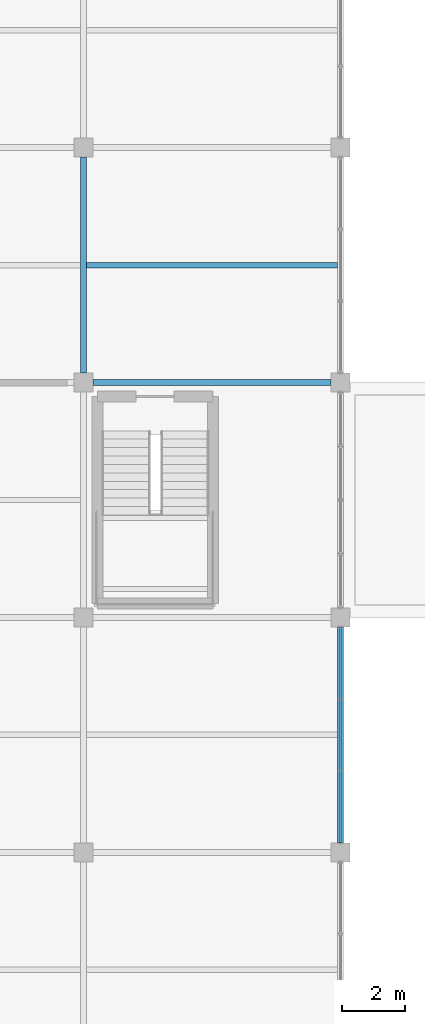
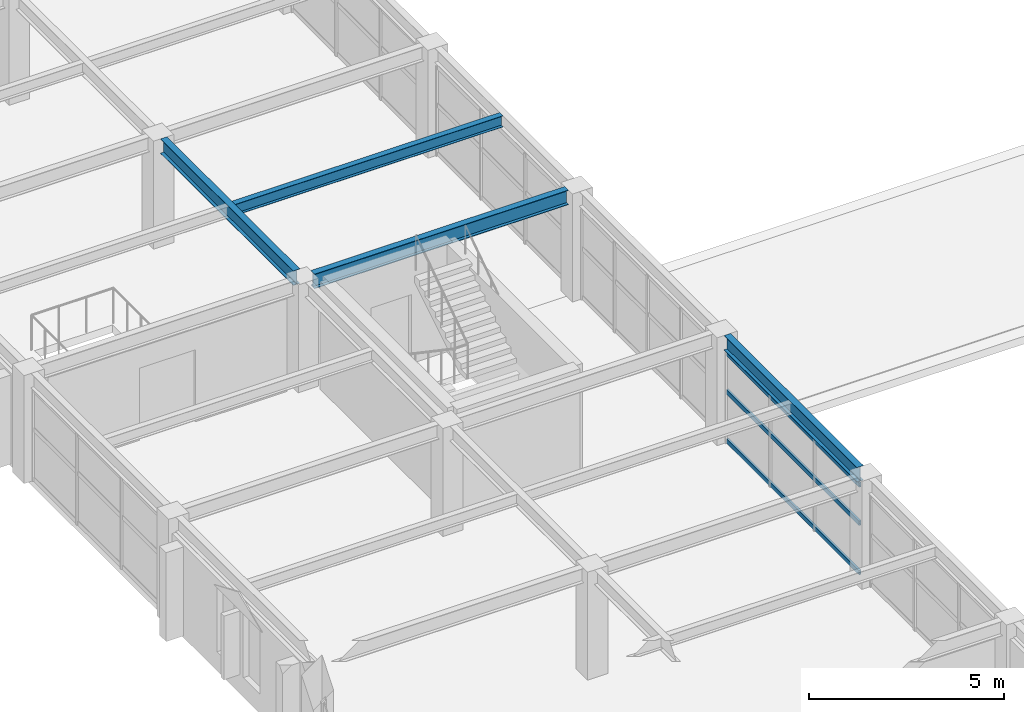
# One storey, part 22 of 121: 4 beams, 3 members, 1 element without a shape of its own.
"""IFC4 building model written with IfcOpenShell, lengths in metres."""

import ifcopenshell
import ifcopenshell.guid

model = None  # the IFC model being written
_history = None  # IfcOwnerHistory: only IFC2X3 demands one
_inside = {}  # id of a spatial element -> (the spatial element, [elements in it])
_under = {}  # id of a project, library or spatial element -> (it, [spatial elements below it])
_declared = {}  # id of a project -> (the project, [libraries it declares])
_typed = {}  # id of a type object -> (the type object, [elements of that type])
_made_of = {}  # id of a material, layer set ... -> (it, [elements and type objects made of it])


def new_model(schema):
    """Start an empty IFC model of exactly this schema.

    Asked for "IFC4X3", IfcOpenShell would pick the latest addendum, in which some entities
    have other attributes; the version numbers below select the first issue.
    IFC2X3 requires an IfcOwnerHistory on every rooted entity: one is made here for all.
    """
    global model, _history
    if schema == "IFC4X3":
        model = ifcopenshell.file(schema_version=(4, 3, 0, 0))
    else:
        model = ifcopenshell.file(schema=schema)
    _inside.clear()
    _under.clear()
    _declared.clear()
    _typed.clear()
    _made_of.clear()
    _history = None
    if model.schema == "IFC2X3":
        org = make("IfcOrganization", Name="unknown")
        user = make(
            "IfcPersonAndOrganization",
            ThePerson=make("IfcPerson", FamilyName="unknown"),
            TheOrganization=org,
        )
        app = make(
            "IfcApplication",
            ApplicationDeveloper=org,
            Version="unknown",
            ApplicationFullName="unknown",
            ApplicationIdentifier="unknown",
        )
        _history = make(
            "IfcOwnerHistory",
            OwningUser=user,
            OwningApplication=app,
            ChangeAction="ADDED",
            CreationDate=0,
        )
    return model


def make(cls, **values):
    """One entity of the class cls with the attributes given. An attribute that is None is left unset."""
    return model.create_entity(
        cls, **{name: value for name, value in values.items() if value is not None}
    )


def rooted(cls, **values):
    """An entity with a GlobalId (a new one), such as an element, a storey or a relation."""
    return make(cls, GlobalId=ifcopenshell.guid.new(), OwnerHistory=_history, **values)


def si_unit(unit_type, name, prefix=None):
    """IfcSIUnit, for example si_unit("LENGTHUNIT", "METRE", prefix="MILLI")."""
    return make("IfcSIUnit", UnitType=unit_type, Prefix=prefix, Name=name)


def assignment(units):
    """IfcUnitAssignment: the units of a project."""
    return None if units is None else make("IfcUnitAssignment", Units=units)


def point(xyz):
    """IfcCartesianPoint."""
    return None if xyz is None else make("IfcCartesianPoint", Coordinates=xyz)


def direction(xyz):
    """IfcDirection."""
    return None if xyz is None else make("IfcDirection", DirectionRatios=xyz)


def frame(location, z_axis=None, x_axis=None):
    """IfcAxis2Placement3D, a coordinate frame: its origin and axes. An axis left out is left unset."""
    return make(
        "IfcAxis2Placement3D",
        Location=point(location),
        Axis=direction(z_axis),
        RefDirection=direction(x_axis),
    )


def frame_2d(location, x_axis=None):
    """IfcAxis2Placement2D, a coordinate frame in the plane: its origin and x axis."""
    return make(
        "IfcAxis2Placement2D", Location=point(location), RefDirection=direction(x_axis)
    )


def origin():
    """The frame at (0, 0, 0) with its axes left unset."""
    return frame((0.0, 0.0, 0.0))


def origin_2d():
    """The frame at (0, 0) in the plane with its x axis left unset."""
    return frame_2d((0.0, 0.0))


def place(relative_to, where):
    """IfcLocalPlacement: puts the frame where relative to a parent placement (None: the world)."""
    return make(
        "IfcLocalPlacement", PlacementRelTo=relative_to, RelativePlacement=where
    )


def context(
    kind, dimensions, precision=None, world=None, true_north=None, identifier=None
):
    """IfcGeometricRepresentationContext, for example the 3D "Model" context."""
    return make(
        "IfcGeometricRepresentationContext",
        ContextIdentifier=identifier,
        ContextType=kind,
        CoordinateSpaceDimension=dimensions,
        Precision=precision,
        WorldCoordinateSystem=world,
        TrueNorth=true_north,
    )


def subcontext(parent, identifier, kind, view, scale=None):
    """IfcGeometricRepresentationSubContext, for example "Body" below "Model"."""
    return make(
        "IfcGeometricRepresentationSubContext",
        ContextIdentifier=identifier,
        ContextType=kind,
        ParentContext=parent,
        TargetScale=scale,
        TargetView=view,
    )


def project(units=None, contexts=None):
    """IfcProject with its units and contexts."""
    return rooted(
        "IfcProject",
        Name="project",
        RepresentationContexts=contexts,
        UnitsInContext=assignment(units),
    )


def spatial(cls, under=None, at=None, **own):
    """A site, building, storey or space (cls), placed at a placement, below another one or the project."""
    s = rooted(cls, ObjectPlacement=at, **own)
    if under is not None:
        _under.setdefault(under.id(), (under, []))[1].append(s)
    return s


def profile(cls, at=None, kind="AREA", **sizes):
    """A parametric profile (cls). Its sizes go by their IFC names, for example OverallWidth=200.0."""
    return make(cls, ProfileType=kind, Position=at, **sizes)


def hollow_rectangle(**sizes):
    """IfcRectangleHollowProfileDef."""
    return profile("IfcRectangleHollowProfileDef", **sizes)


def i_section(**sizes):
    """IfcIShapeProfileDef."""
    return profile("IfcIShapeProfileDef", **sizes)


def extrude(swept, where, along, depth):
    """IfcExtrudedAreaSolid: the profile swept, set in the frame where, extruded along a direction by depth."""
    return make(
        "IfcExtrudedAreaSolid",
        SweptArea=swept,
        Position=where,
        ExtrudedDirection=direction(along),
        Depth=depth,
    )


def shape(context_of_items, identifier, shape_type, items):
    """IfcShapeRepresentation: the items that make up one representation, for example the "Body"."""
    return make(
        "IfcShapeRepresentation",
        ContextOfItems=context_of_items,
        RepresentationIdentifier=identifier,
        RepresentationType=shape_type,
        Items=items,
    )


def material(Name=None, Category=None):
    """IfcMaterial."""
    return make("IfcMaterial", Name=Name, Category=Category)


def material_profile(
    of_material, cross_section, Name=None, Category=None, Priority=None
):
    """IfcMaterialProfile: a cross section and its material."""
    return make(
        "IfcMaterialProfile",
        Name=Name,
        Material=of_material,
        Profile=cross_section,
        Priority=Priority,
        Category=Category,
    )


def profile_set(profiles, Name=None, composite=None):
    """IfcMaterialProfileSet."""
    return make(
        "IfcMaterialProfileSet",
        Name=Name,
        MaterialProfiles=profiles,
        CompositeProfile=composite,
    )


def made_of(thing, what):
    """Note that an element or type object is made of a material, layer set ...; save() writes the relation."""
    if what is not None:
        _made_of.setdefault(what.id(), (what, []))[1].append(thing)
    return thing


def type_object(cls, material=None, **own):
    """A type object (cls), such as IfcWallType, which elements share."""
    return made_of(rooted(cls, **own), material)


def element(
    cls,
    number,
    at=None,
    inside=None,
    cuts=None,
    type_object=None,
    material=None,
    context=None,
    identifier="Body",
    shape_type=None,
    held_by="IfcProductDefinitionShape",
    body=None,
    shapes=None,
    **own,
):
    """One element of the class cls, such as IfcWall. Its Tag is "e" and its number.

    at: its placement. inside: the storey or other place that contains it. cuts: it is an
    opening in that element (IfcRelVoidsElement). A single representation is given by context,
    identifier, shape_type and body (its items); several are given by shapes. held_by: the class
    of the entity that holds the representations. save() writes the other relations.
    """
    e = rooted(cls, Tag="e%d" % number, ObjectPlacement=at, **own)
    if body is not None:
        shapes = [shape(context, identifier, shape_type, body)]
    if shapes is not None:
        e.Representation = make(held_by, Representations=shapes)
    if inside is not None:
        _inside.setdefault(inside.id(), (inside, []))[1].append(e)
    if cuts is not None:
        rooted(
            "IfcRelVoidsElement", RelatingBuildingElement=cuts, RelatedOpeningElement=e
        )
    if type_object is not None:
        _typed.setdefault(type_object.id(), (type_object, []))[1].append(e)
    return made_of(e, material)


def aggregate(whole, parts):
    """IfcRelAggregates: a whole, such as a stair, and the parts it consists of."""
    return rooted("IfcRelAggregates", RelatingObject=whole, RelatedObjects=parts)


def save(model, path):
    """Write the relations noted so far, then the file.

    IfcRelAggregates (storeys below a building ...), IfcRelContainedInSpatialStructure (elements
    in a storey), IfcRelDefinesByType, IfcRelAssociatesMaterial and IfcRelDeclares: one each for
    every whole, place, type object, material and project.
    """
    for whole, parts in _under.values():
        aggregate(whole, parts)
    for where, things in _inside.values():
        rooted(
            "IfcRelContainedInSpatialStructure",
            RelatedElements=things,
            RelatingStructure=where,
        )
    for kind, things in _typed.values():
        rooted("IfcRelDefinesByType", RelatedObjects=things, RelatingType=kind)
    for what, things in _made_of.values():
        rooted("IfcRelAssociatesMaterial", RelatedObjects=things, RelatingMaterial=what)
    for by, libraries in _declared.values():
        rooted("IfcRelDeclares", RelatingContext=by, RelatedDefinitions=libraries)
    model.write(path)


model = new_model("IFC4")

# Units and contexts
model_context = context("Model", 3, precision=1e-05, world=origin(), true_north=direction((0.0, 1.0)))
body_context = subcontext(model_context, "Body", "Model", "MODEL_VIEW")
ifc_project = project(units=[si_unit("LENGTHUNIT", "METRE"), si_unit("AREAUNIT", "SQUARE_METRE"), si_unit("VOLUMEUNIT", "CUBIC_METRE"), si_unit("PLANEANGLEUNIT", "RADIAN"), si_unit("MASSUNIT", "GRAM", prefix="KILO")], contexts=[model_context])

# Site, building, storey
site_placement = place(None, origin())
site = spatial("IfcSite", under=ifc_project, at=site_placement, CompositionType="ELEMENT")
building_placement = place(site_placement, origin())
building = spatial("IfcBuilding", under=site, at=building_placement, Name="Cimatlan Art Gallery", CompositionType="ELEMENT")
storey_placement = place(building_placement, frame((0.0, 0.0, 10.199951171875)))
storey = spatial("IfcBuildingStorey", under=building, at=storey_placement, Name="L02", CompositionType="ELEMENT", Elevation=10.199951171875)

# Beams
ifc_material_1 = material(Name="Steel ASTM A992 Grade 50", Category="steel")
ifc_material_profile_1 = material_profile(ifc_material_1, i_section(OverallWidth=0.1708984375, OverallDepth=0.35107421875, WebThickness=0.0068359375, FlangeThickness=0.009765625, at=origin_2d()), Name="W14X30")
ifc_profile_set_1 = profile_set([ifc_material_profile_1], Name="Steel ASTM A992 Grade 50")
beam_type_1 = type_object("IfcBeamType", Name="BM-STL-W14X30", PredefinedType="JOIST", material=ifc_profile_set_1)
beam_1_placement = place(storey_placement, frame((42.595458984375, 64.60009765625, 3.194580078125), z_axis=(1.0, 0.0, 0.0), x_axis=(0.0, 1.0, 0.0)))
element("IfcBeam", 1, at=beam_1_placement, inside=storey, type_object=beam_type_1, Name="JST-L02-05-08", PredefinedType="JOIST", context=body_context, shape_type="SweptSolid", body=[
    extrude(i_section(OverallWidth=0.1708984375, OverallDepth=0.35107421875, WebThickness=0.0068359375, FlangeThickness=0.009765625, at=origin_2d()), origin(), (0.0, 0.0, 1.0), 7.908935546875),
])
ifc_material_profile_2 = material_profile(ifc_material_1, i_section(OverallWidth=0.19091796875, OverallDepth=0.45703125, WebThickness=0.009033203125, FlangeThickness=0.014404296875, at=origin_2d()), Name="W18X50")
ifc_profile_set_2 = profile_set([ifc_material_profile_2], Name="Steel ASTM A992 Grade 50")
beam_type_2 = type_object("IfcBeamType", Name="BM-STL-W18X50", PredefinedType="BEAM", material=ifc_profile_set_2)
for number, where, z_axis, x_axis, name in (
    (2, (42.5, 61.199951171875, 3.1416015625), (0.0, 1.0, 0.0), (-1.0, 0.0, 0.0), "BM-Y-L02-05-08"),
    (3, (50.60009765625, 46.39990234375, 3.1416015625), (0.0, 1.0, 0.0), (-1.0, 0.0, 0.0), "BM-Y-L02-06-06"),
):
    element("IfcBeam", number, at=place(storey_placement, frame(where, z_axis=z_axis, x_axis=x_axis)), inside=storey, type_object=beam_type_2, Name=name, PredefinedType="BEAM", context=body_context, shape_type="SweptSolid", body=[
        extrude(i_section(OverallWidth=0.19091796875, OverallDepth=0.45703125, WebThickness=0.009033203125, FlangeThickness=0.014404296875, at=origin_2d()), origin(), (0.0, 0.0, 1.0), 6.800048828125),
    ])
beam_2_placement = place(storey_placement, frame((42.800048828125, 60.89990234375, 3.1416015625), z_axis=(1.0, 0.0, 0.0), x_axis=(0.0, 1.0, 0.0)))
element("IfcBeam", 4, at=beam_2_placement, inside=storey, type_object=beam_type_2, Name="BM-X-L02-05-08", PredefinedType="BEAM", context=body_context, shape_type="SweptSolid", body=[
    extrude(i_section(OverallWidth=0.19091796875, OverallDepth=0.45703125, WebThickness=0.009033203125, FlangeThickness=0.014404296875, at=origin_2d()), origin(), (0.0, 0.0, 1.0), 7.5),
])

# Curtain wall, members
ifc_material_2 = material(Name="Anodised bronze unitised curtain wall")
curtain_wall_type = type_object("IfcCurtainWallType", Name="CW-V-06792X02853-B3", PredefinedType="NOTDEFINED", material=ifc_material_2)
curtain_wall_placement = place(storey_placement, origin())
curtain_wall = element("IfcCurtainWall", 5, at=curtain_wall_placement, inside=storey, type_object=curtain_wall_type, Name="CW-L02-05-06-E", PredefinedType="NOTDEFINED")
ifc_material_3 = material(Name="Anodised bronze aluminium 6063-T6", Category="aluminium")
ifc_material_profile_3 = material_profile(ifc_material_3, hollow_rectangle(XDim=0.06494140625, YDim=0.139892578125, WallThickness=0.00390625, at=origin_2d()), Name="ALU65X140X4")
ifc_profile_set_3 = profile_set([ifc_material_profile_3], Name="Anodised bronze aluminium 6063-T6")
member_type = type_object("IfcMemberType", Name="CW-TRN-140", PredefinedType="USERDEFINED", material=ifc_profile_set_3)
member_1_placement = place(storey_placement, frame((50.60009765625, 53.196044921875, 0.06005859375), z_axis=(0.0, -1.0, 0.0), x_axis=(1.0, 0.0, 0.0)))
member_1 = element("IfcMember", 6, at=member_1_placement, type_object=member_type, Name="CW-L02-05-06-E-T1", ObjectType="TRANSOM", PredefinedType="USERDEFINED", context=body_context, shape_type="SweptSolid", body=[
    extrude(hollow_rectangle(XDim=0.06494140625, YDim=0.139892578125, WallThickness=0.00390625, at=origin_2d()), origin(), (0.0, 0.0, 1.0), 6.7919921875),
])
member_2_placement = place(storey_placement, frame((50.60009765625, 53.196044921875, 1.59765625), z_axis=(0.0, -1.0, 0.0), x_axis=(1.0, 0.0, 0.0)))
member_2 = element("IfcMember", 7, at=member_2_placement, type_object=member_type, Name="CW-L02-05-06-E-T2", ObjectType="TRANSOM", PredefinedType="USERDEFINED", context=body_context, shape_type="SweptSolid", body=[
    extrude(hollow_rectangle(XDim=0.06494140625, YDim=0.139892578125, WallThickness=0.00390625, at=origin_2d()), origin(), (0.0, 0.0, 1.0), 6.7919921875),
])
member_3_placement = place(storey_placement, frame((50.60009765625, 53.196044921875, 2.79296875), z_axis=(0.0, -1.0, 0.0), x_axis=(1.0, 0.0, 0.0)))
member_3 = element("IfcMember", 8, at=member_3_placement, type_object=member_type, Name="CW-L02-05-06-E-T3", ObjectType="TRANSOM", PredefinedType="USERDEFINED", context=body_context, shape_type="SweptSolid", body=[
    extrude(hollow_rectangle(XDim=0.06494140625, YDim=0.139892578125, WallThickness=0.00390625, at=origin_2d()), origin(), (0.0, 0.0, 1.0), 6.7919921875),
])
aggregate(curtain_wall, [member_1, member_2, member_3])

save(model, "model.ifc")
